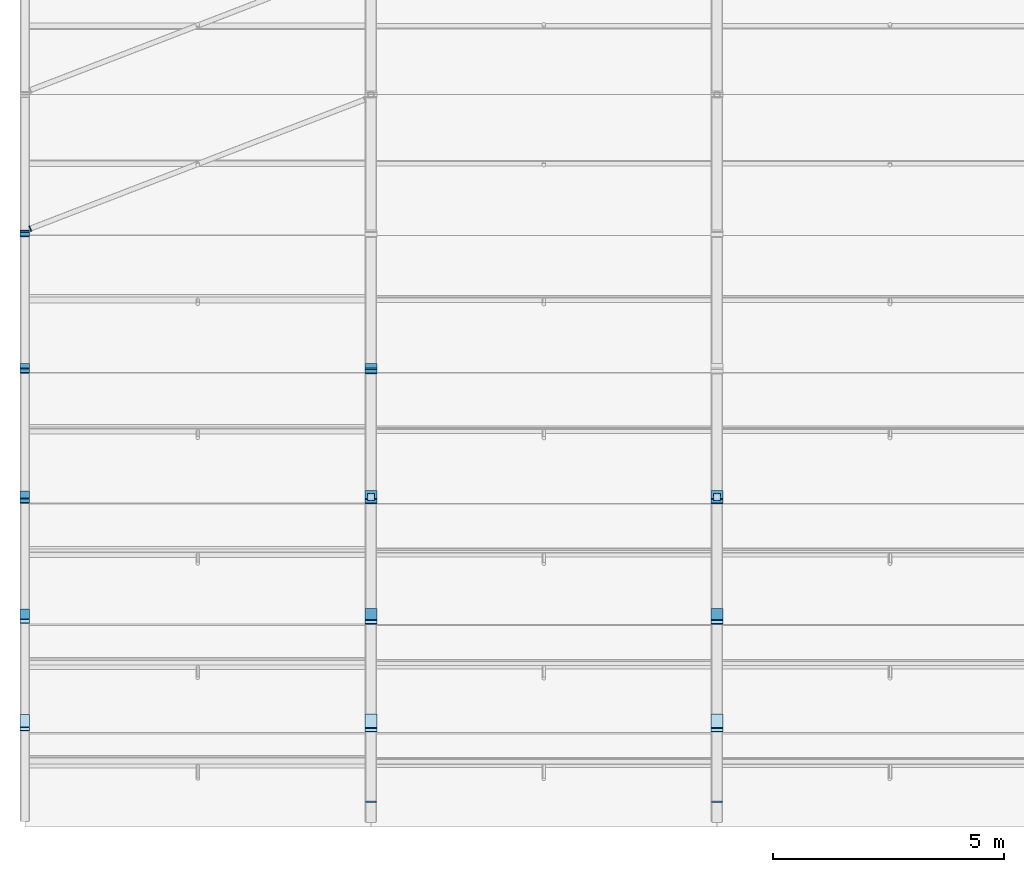
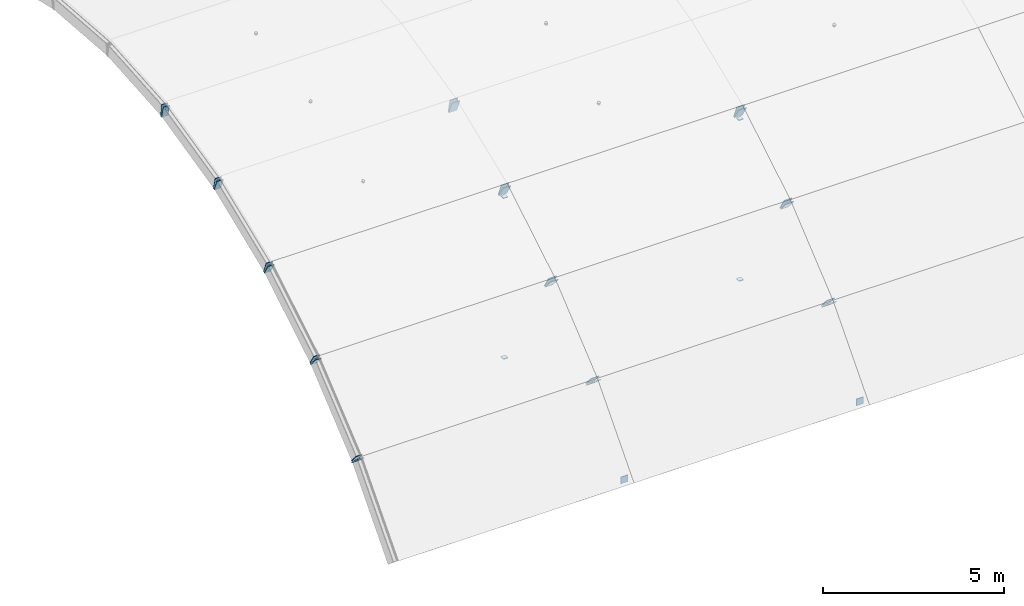
# One storey, part 47 of 77: 31 plates.
"""IFC4 building model written with IfcOpenShell, lengths in metres."""

from ifc_helpers import new_model, si_unit, direction, frame, origin, origin_2d, place, context, subcontext, project, spatial, rectangle, extrude, material, layer, layer_set, type_object, element, save


model = new_model("IFC4")

# Units and contexts
model_context = context("Model", 3, precision=1e-05, world=origin(), true_north=direction((0.0, 1.0)))
body_context = subcontext(model_context, "Body", "Model", "MODEL_VIEW")
ifc_project = project(units=[si_unit("LENGTHUNIT", "METRE"), si_unit("AREAUNIT", "SQUARE_METRE"), si_unit("VOLUMEUNIT", "CUBIC_METRE"), si_unit("PLANEANGLEUNIT", "RADIAN"), si_unit("MASSUNIT", "GRAM", prefix="KILO")], contexts=[model_context])

# Site, building, storey
site_placement = place(None, origin())
site = spatial("IfcSite", under=ifc_project, at=site_placement, CompositionType="ELEMENT")
building_placement = place(site_placement, origin())
building = spatial("IfcBuilding", under=site, at=building_placement, Name="Yukiwa Park Conservatory and Herbarium", CompositionType="ELEMENT")
storey_placement = place(building_placement, frame((0.0, 0.0, 13.199951171875)))
storey = spatial("IfcBuildingStorey", under=building, at=storey_placement, Name="L03", CompositionType="ELEMENT", Elevation=13.199951171875)

# Plates
ifc_material_1 = material(Name="Steel Q355D", Category="steel")
ifc_layer_1 = layer(ifc_material_1, 0.02392578125)
ifc_layer_set_1 = layer_set([ifc_layer_1], Name="Steel Q355D")
plate_type_1 = type_object("IfcPlateType", Name="PL-CAP-24", PredefinedType="USERDEFINED", material=ifc_layer_set_1)
for number, where, z_axis, x_axis, name in (
    (1, (0.0, 1.96044921875, -1.968017578125), (0.0, 0.659940990637, 0.751317435494), (-1.0, 0.0, 0.0), "Hollow section end cap plate CAP-RIB01-C01B"),
    (2, (0.0, 2.031494140625, -1.90087890625), (0.0, -0.76570486479, -0.643192086423), (1.0, 0.0, 0.0), "Hollow section end cap plate CAP-RIB01-C02A"),
    (3, (0.0, 4.267822265625, -0.034423828125), (0.0, 0.76570486479, 0.643192086423), (-1.0, 0.0, 0.0), "Hollow section end cap plate CAP-RIB01-C02B"),
    (4, (0.0, 4.34814453125, 0.02099609375), (0.0, -0.854787515222, -0.518978134242), (1.0, 0.0, 0.0), "Hollow section end cap plate CAP-RIB01-C03A"),
):
    element("IfcPlate", number, at=place(storey_placement, frame(where, z_axis=z_axis, x_axis=x_axis)), inside=storey, type_object=plate_type_1, Name=name, ObjectType="END CAP PLATE", PredefinedType="USERDEFINED", context=body_context, shape_type="SweptSolid", body=[
        extrude(rectangle(XDim=0.2080078125, YDim=0.407958984375, at=origin_2d()), origin(), (0.0, 0.0, 1.0), 0.02392578125),
    ])
plate_1_placement = place(storey_placement, frame((0.0, 6.844970703125, 1.520751953125), z_axis=(0.0, 0.857492925713, 0.514495755428), x_axis=(-1.0, 0.0, 0.0)))
element("IfcPlate", 5, at=plate_1_placement, inside=storey, type_object=plate_type_1, Name="Hollow section end cap plate CAP-RIB01-C03B", ObjectType="END CAP PLATE", PredefinedType="USERDEFINED", context=body_context, shape_type="SweptSolid", body=[
    extrude(rectangle(XDim=0.2080078125, YDim=0.407958984375, at=origin_2d()), origin(), (0.0, 0.0, 1.0), 0.024169921875),
])
for number, where, z_axis, x_axis, name in (
    (6, (0.0, 6.93310546875, 1.563232421875), (0.0, -0.926355609378, -0.376650082934), (1.0, 0.0, 0.0), "Hollow section end cap plate CAP-RIB01-C04A"),
    (7, (0.0, 9.631103515625, 2.660888671875), (0.0, 0.926355609378, 0.376650082934), (-1.0, 0.0, 0.0), "Hollow section end cap plate CAP-RIB01-C04B"),
    (8, (0.0, 9.724609375, 2.689208984375), (0.0, -0.974732318528, -0.223376156329), (1.0, 0.0, 0.0), "Hollow section end cap plate CAP-RIB01-C05A"),
):
    element("IfcPlate", number, at=place(storey_placement, frame(where, z_axis=z_axis, x_axis=x_axis)), inside=storey, type_object=plate_type_1, Name=name, ObjectType="END CAP PLATE", PredefinedType="USERDEFINED", context=body_context, shape_type="SweptSolid", body=[
        extrude(rectangle(XDim=0.2080078125, YDim=0.407958984375, at=origin_2d()), origin(), (0.0, 0.0, 1.0), 0.02392578125),
    ])
plate_2_placement = place(storey_placement, frame((0.0, 12.559326171875, 3.3583984375), z_axis=(0.0, 0.972479178012, 0.232989803065), x_axis=(-1.0, 0.0, 0.0)))
element("IfcPlate", 9, at=plate_2_placement, inside=storey, type_object=plate_type_1, Name="Hollow section end cap plate CAP-RIB01-C05B", ObjectType="END CAP PLATE", PredefinedType="USERDEFINED", context=body_context, shape_type="SweptSolid", body=[
    extrude(rectangle(XDim=0.2080078125, YDim=0.407958984375, at=origin_2d()), origin(), (0.0, 0.0, 1.0), 0.024169921875),
])
plate_3_placement = place(storey_placement, frame((0.0, 12.656005859375, 3.3720703125), z_axis=(0.0, -0.997458699831, -0.071247049988), x_axis=(1.0, 0.0, 0.0)))
element("IfcPlate", 10, at=plate_3_placement, inside=storey, type_object=plate_type_1, Name="Hollow section end cap plate CAP-RIB01-C06A", ObjectType="END CAP PLATE", PredefinedType="USERDEFINED", context=body_context, shape_type="SweptSolid", body=[
    extrude(rectangle(XDim=0.2080078125, YDim=0.407958984375, at=origin_2d()), origin(), (0.0, 0.0, 1.0), 0.02392578125),
])
for number, where, z_axis, x_axis, name in (
    (11, (7.5, 1.96044921875, -1.968017578125), (0.0, 0.659940990637, 0.751317435494), (-1.0, 0.0, 0.0), "Hollow section end cap plate CAP-RIB02-C01B"),
    (12, (7.5, 2.031494140625, -1.90087890625), (0.0, -0.76570486479, -0.643192086423), (1.0, 0.0, 0.0), "Hollow section end cap plate CAP-RIB02-C02A"),
    (13, (7.5, 4.267822265625, -0.034423828125), (0.0, 0.76570486479, 0.643192086423), (-1.0, 0.0, 0.0), "Hollow section end cap plate CAP-RIB02-C02B"),
    (14, (7.5, 4.34814453125, 0.02099609375), (0.0, -0.854787515222, -0.518978134242), (1.0, 0.0, 0.0), "Hollow section end cap plate CAP-RIB02-C03A"),
):
    element("IfcPlate", number, at=place(storey_placement, frame(where, z_axis=z_axis, x_axis=x_axis)), inside=storey, type_object=plate_type_1, Name=name, ObjectType="END CAP PLATE", PredefinedType="USERDEFINED", context=body_context, shape_type="SweptSolid", body=[
        extrude(rectangle(XDim=0.258056640625, YDim=0.4580078125, at=origin_2d()), origin(), (0.0, 0.0, 1.0), 0.02392578125),
    ])
plate_4_placement = place(storey_placement, frame((7.5, 6.844970703125, 1.520751953125), z_axis=(0.0, 0.857492925713, 0.514495755428), x_axis=(-1.0, 0.0, 0.0)))
element("IfcPlate", 15, at=plate_4_placement, inside=storey, type_object=plate_type_1, Name="Hollow section end cap plate CAP-RIB02-C03B", ObjectType="END CAP PLATE", PredefinedType="USERDEFINED", context=body_context, shape_type="SweptSolid", body=[
    extrude(rectangle(XDim=0.258056640625, YDim=0.4580078125, at=origin_2d()), origin(), (0.0, 0.0, 1.0), 0.024169921875),
])
for number, where, z_axis, x_axis, name in (
    (16, (7.5, 6.93310546875, 1.563232421875), (0.0, -0.926355609378, -0.376650082934), (1.0, 0.0, 0.0), "Hollow section end cap plate CAP-RIB02-C04A"),
    (17, (7.5, 9.631103515625, 2.660888671875), (0.0, 0.926355609378, 0.376650082934), (-1.0, 0.0, 0.0), "Hollow section end cap plate CAP-RIB02-C04B"),
    (18, (7.5, 9.724609375, 2.689208984375), (0.0, -0.974732318528, -0.223376156329), (1.0, 0.0, 0.0), "Hollow section end cap plate CAP-RIB02-C05A"),
    (19, (15.0, 1.96044921875, -1.968017578125), (0.0, 0.659940990637, 0.751317435494), (-1.0, 0.0, 0.0), "Hollow section end cap plate CAP-RIB03-C01B"),
    (20, (15.0, 2.031494140625, -1.90087890625), (0.0, -0.76570486479, -0.643192086423), (1.0, 0.0, 0.0), "Hollow section end cap plate CAP-RIB03-C02A"),
    (21, (15.0, 4.267822265625, -0.034423828125), (0.0, 0.76570486479, 0.643192086423), (-1.0, 0.0, 0.0), "Hollow section end cap plate CAP-RIB03-C02B"),
    (22, (15.0, 4.34814453125, 0.02099609375), (0.0, -0.854787515222, -0.518978134242), (1.0, 0.0, 0.0), "Hollow section end cap plate CAP-RIB03-C03A"),
):
    element("IfcPlate", number, at=place(storey_placement, frame(where, z_axis=z_axis, x_axis=x_axis)), inside=storey, type_object=plate_type_1, Name=name, ObjectType="END CAP PLATE", PredefinedType="USERDEFINED", context=body_context, shape_type="SweptSolid", body=[
        extrude(rectangle(XDim=0.258056640625, YDim=0.4580078125, at=origin_2d()), origin(), (0.0, 0.0, 1.0), 0.02392578125),
    ])
plate_5_placement = place(storey_placement, frame((15.0, 6.844970703125, 1.520751953125), z_axis=(0.0, 0.857492925713, 0.514495755428), x_axis=(-1.0, 0.0, 0.0)))
element("IfcPlate", 23, at=plate_5_placement, inside=storey, type_object=plate_type_1, Name="Hollow section end cap plate CAP-RIB03-C03B", ObjectType="END CAP PLATE", PredefinedType="USERDEFINED", context=body_context, shape_type="SweptSolid", body=[
    extrude(rectangle(XDim=0.258056640625, YDim=0.4580078125, at=origin_2d()), origin(), (0.0, 0.0, 1.0), 0.024169921875),
])
plate_6_placement = place(storey_placement, frame((15.0, 6.93310546875, 1.563232421875), z_axis=(0.0, -0.926355609378, -0.376650082934), x_axis=(1.0, 0.0, 0.0)))
element("IfcPlate", 24, at=plate_6_placement, inside=storey, type_object=plate_type_1, Name="Hollow section end cap plate CAP-RIB03-C04A", ObjectType="END CAP PLATE", PredefinedType="USERDEFINED", context=body_context, shape_type="SweptSolid", body=[
    extrude(rectangle(XDim=0.258056640625, YDim=0.4580078125, at=origin_2d()), origin(), (0.0, 0.0, 1.0), 0.02392578125),
])
plate_7_placement = place(storey_placement, frame((0.12744140625, 12.701171875, 3.327880859375), z_axis=(-0.934214787691, -0.355407799665, -0.030463525686), x_axis=(0.355572828447, -0.934648577632, 0.0)))
element("IfcPlate", 25, at=plate_7_placement, inside=storey, type_object=plate_type_1, Name="Hollow section end cap plate CAP-VWBR-B1-F5A", ObjectType="END CAP PLATE", PredefinedType="USERDEFINED", context=body_context, shape_type="SweptSolid", body=[
    extrude(rectangle(XDim=0.122314453125, YDim=0.122314453125, at=origin_2d()), origin(), (0.0, 0.0, 1.0), 0.02392578125),
])
ifc_material_2 = material(Name="Steel Q355D", Category="steel")
ifc_layer_2 = layer(ifc_material_2, 0.02392578125)
ifc_layer_set_2 = layer_set([ifc_layer_2], Name="Steel Q355D")
plate_type_2 = type_object("IfcPlateType", Name="PL-CAP-24-INT", PredefinedType="USERDEFINED", material=ifc_layer_set_2)
plate_8_placement = place(storey_placement, frame((7.5, 0.2890625, -4.199951171875), z_axis=(0.0, -1.0, 0.0), x_axis=(1.0, 0.0, 0.0)))
element("IfcPlate", 26, at=plate_8_placement, inside=storey, type_object=plate_type_2, Name="Hollow section end cap plate CAP-VTIE-02-S", ObjectType="END CAP PLATE", PredefinedType="USERDEFINED", context=body_context, shape_type="SweptSolid", body=[
    extrude(rectangle(XDim=0.22705078125, YDim=0.22705078125, at=origin_2d()), origin(), (0.0, 0.0, 1.0), 0.024169921875),
])
for number, where, z_axis, x_axis, name in (
    (27, (7.5, 6.87939453125, -4.087890625), (0.0, 0.0, -1.0), (1.0, 0.0, 0.0), "Hollow section end cap plate CAP-VHNG-02-3B"),
    (28, (7.5, 6.87939453125, 1.30029296875), (0.0, 0.0, 1.0), (1.0, 0.0, 0.0), "Hollow section end cap plate CAP-VHNG-02-3T"),
):
    element("IfcPlate", number, at=place(storey_placement, frame(where, z_axis=z_axis, x_axis=x_axis)), inside=storey, type_object=plate_type_2, Name=name, ObjectType="END CAP PLATE", PredefinedType="USERDEFINED", context=body_context, shape_type="SweptSolid", body=[
        extrude(rectangle(XDim=0.147705078125, YDim=0.147705078125, at=origin_2d()), origin(), (0.0, 0.0, 1.0), 0.024169921875),
    ])
plate_9_placement = place(storey_placement, frame((15.0, 0.2890625, -4.199951171875), z_axis=(0.0, -1.0, 0.0), x_axis=(1.0, 0.0, 0.0)))
element("IfcPlate", 29, at=plate_9_placement, inside=storey, type_object=plate_type_2, Name="Hollow section end cap plate CAP-VTIE-03-S", ObjectType="END CAP PLATE", PredefinedType="USERDEFINED", context=body_context, shape_type="SweptSolid", body=[
    extrude(rectangle(XDim=0.22705078125, YDim=0.22705078125, at=origin_2d()), origin(), (0.0, 0.0, 1.0), 0.024169921875),
])
for number, where, z_axis, x_axis, name in (
    (30, (15.0, 6.87939453125, -4.087890625), (0.0, 0.0, -1.0), (1.0, 0.0, 0.0), "Hollow section end cap plate CAP-VHNG-03-3B"),
    (31, (15.0, 6.87939453125, 1.30029296875), (0.0, 0.0, 1.0), (1.0, 0.0, 0.0), "Hollow section end cap plate CAP-VHNG-03-3T"),
):
    element("IfcPlate", number, at=place(storey_placement, frame(where, z_axis=z_axis, x_axis=x_axis)), inside=storey, type_object=plate_type_2, Name=name, ObjectType="END CAP PLATE", PredefinedType="USERDEFINED", context=body_context, shape_type="SweptSolid", body=[
        extrude(rectangle(XDim=0.147705078125, YDim=0.147705078125, at=origin_2d()), origin(), (0.0, 0.0, 1.0), 0.024169921875),
    ])

save(model, "model.ifc")
